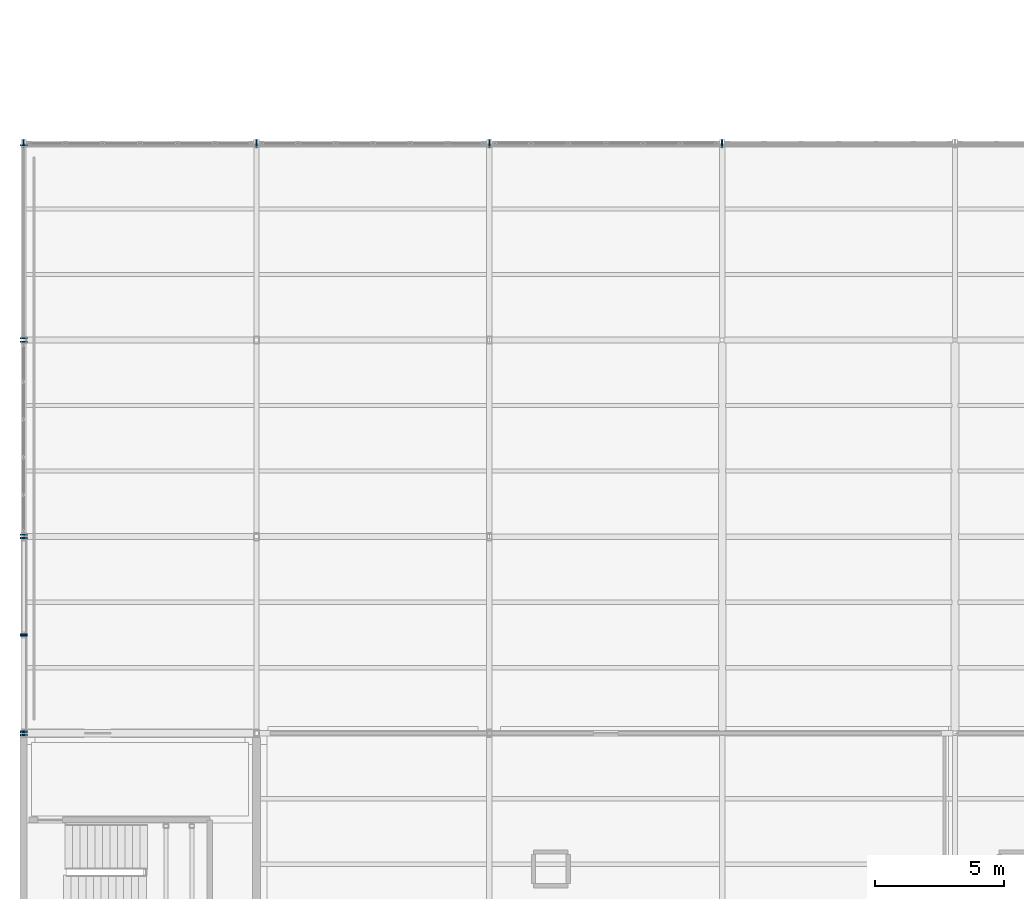
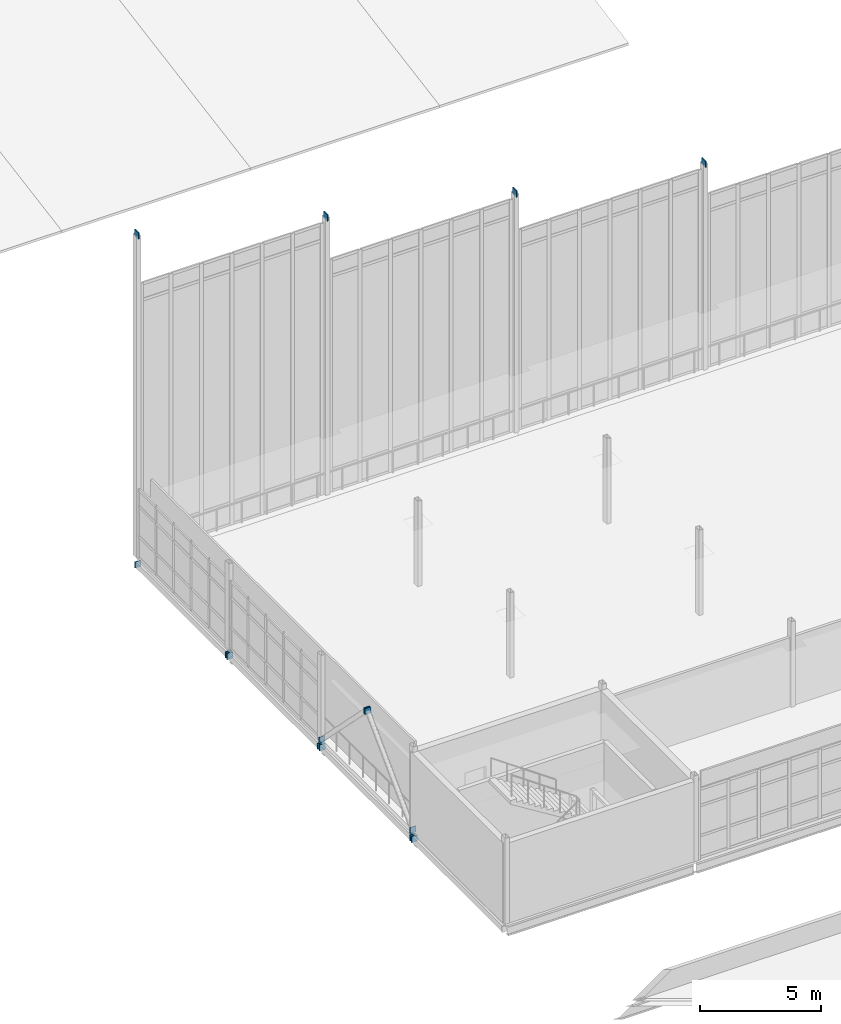
# One storey, part 141 of 166: 15 plates.
"""IFC4 building model written with IfcOpenShell, lengths in metres."""

from ifc_helpers import new_model, si_unit, direction, frame, origin, origin_2d, place, context, subcontext, project, spatial, rectangle, extrude, material, layer, layer_set, type_object, element, save


model = new_model("IFC4")

# Units and contexts
model_context = context("Model", 3, precision=1e-05, world=origin(), true_north=direction((0.0, 1.0)))
body_context = subcontext(model_context, "Body", "Model", "MODEL_VIEW")
ifc_project = project(units=[si_unit("LENGTHUNIT", "METRE"), si_unit("AREAUNIT", "SQUARE_METRE"), si_unit("VOLUMEUNIT", "CUBIC_METRE"), si_unit("PLANEANGLEUNIT", "RADIAN"), si_unit("MASSUNIT", "GRAM", prefix="KILO")], contexts=[model_context])

# Site, building, storey
site_placement = place(None, origin())
site = spatial("IfcSite", under=ifc_project, at=site_placement, CompositionType="ELEMENT")
building_placement = place(site_placement, origin())
building = spatial("IfcBuilding", under=site, at=building_placement, Name="Caisbarro Railhouse Central Library", CompositionType="ELEMENT")
storey_placement = place(building_placement, frame((0.0, 0.0, 9.360107421875)))
storey = spatial("IfcBuildingStorey", under=building, at=storey_placement, Name="L02", CompositionType="ELEMENT", Elevation=9.360107421875)

# Plates
ifc_material = material(Name="Steel ASTM A572 Grade 50", Category="steel")
ifc_layer_1 = layer(ifc_material, 0.044921875, Name="Steel ASTM A572 Grade 50")
ifc_layer_set_1 = layer_set([ifc_layer_1], Name="Steel ASTM A572 Grade 50")
plate_type_1 = type_object("IfcPlateType", Name="PLT-EP01", PredefinedType="SHEET", material=ifc_layer_set_1)
for number, where, z_axis, x_axis, name in (
    (1, (0.0, 37.931884765625, -0.52001953125), (0.0, 0.0, 1.0), (0.0, 1.0, 0.0), "EP01 end cap plate"),
    (2, (0.0, 38.068115234375, -0.52001953125), (0.0, 0.0, 1.0), (0.0, 1.0, 0.0), "EP01 end cap plate"),
    (3, (0.0, 45.531982421875, -0.52001953125), (0.0, 0.0, 1.0), (0.0, 1.0, 0.0), "EP01 end cap plate"),
    (4, (0.0, 45.66796875, -0.52001953125), (0.0, 0.0, 1.0), (0.0, 1.0, 0.0), "EP01 end cap plate"),
    (5, (0.0, 53.132080078125, -0.52001953125), (0.0, 0.0, 1.0), (0.0, 1.0, 0.0), "EP01 end cap plate"),
    (6, (0.0, 53.26806640625, -0.52001953125), (0.0, 0.0, 1.0), (0.0, 1.0, 0.0), "EP01 end cap plate"),
    (7, (0.0, 60.73193359375, -0.52001953125), (0.0, 0.0, 1.0), (0.0, 1.0, 0.0), "EP01 end cap plate"),
    (8, (0.0, 38.051513671875, -0.138671875), (0.0, 0.0, 1.0), (0.0, 1.0, 0.0), "EP01 end cap plate"),
    (9, (0.0, 41.7685546875, 3.59814453125), (0.0, 0.0, 1.0), (0.0, 1.0, 0.0), "EP01 end cap plate"),
    (10, (0.0, 45.548583984375, -0.138671875), (0.0, 0.0, 1.0), (0.0, -1.0, 0.0), "EP01 end cap plate"),
    (11, (0.0, 41.83154296875, 3.59814453125), (0.0, 0.0, 1.0), (0.0, -1.0, 0.0), "EP01 end cap plate"),
):
    element("IfcPlate", number, at=place(storey_placement, frame(where, z_axis=z_axis, x_axis=x_axis)), inside=storey, type_object=plate_type_1, Name=name, PredefinedType="SHEET", context=body_context, shape_type="SweptSolid", body=[
        extrude(rectangle(XDim=0.044921875, YDim=0.280029296875, at=origin_2d()), origin(), (0.0, 0.0, 1.0), 0.300048828125),
    ])
ifc_layer_2 = layer(ifc_material, 0.054931640625, Name="Steel ASTM A572 Grade 50")
ifc_layer_set_2 = layer_set([ifc_layer_2], Name="Steel ASTM A572 Grade 50")
plate_type_2 = type_object("IfcPlateType", Name="PLT-EP02", PredefinedType="SHEET", material=ifc_layer_set_2)
for number, where, z_axis, x_axis, name in (
    (12, (0.0, 60.800048828125, 16.0419921875), (0.0, 0.0, 1.0), (1.0, 0.0, 0.0), "EP02 end cap plate"),
    (13, (9.0, 60.800048828125, 13.7919921875), (0.0, 0.0, 1.0), (1.0, 0.0, 0.0), "EP02 end cap plate"),
    (14, (18.0, 60.800048828125, 11.841796875), (0.0, 0.0, 1.0), (1.0, 0.0, 0.0), "EP02 end cap plate"),
    (15, (27.0, 60.800048828125, 10.19189453125), (0.0, 0.0, 1.0), (1.0, 0.0, 0.0), "EP02 end cap plate"),
):
    element("IfcPlate", number, at=place(storey_placement, frame(where, z_axis=z_axis, x_axis=x_axis)), inside=storey, type_object=plate_type_2, Name=name, PredefinedType="SHEET", context=body_context, shape_type="SweptSolid", body=[
        extrude(rectangle(XDim=0.054931640625, YDim=0.320068359375, at=origin_2d()), origin(), (0.0, 0.0, 1.0), 0.320068359375),
    ])

save(model, "model.ifc")
